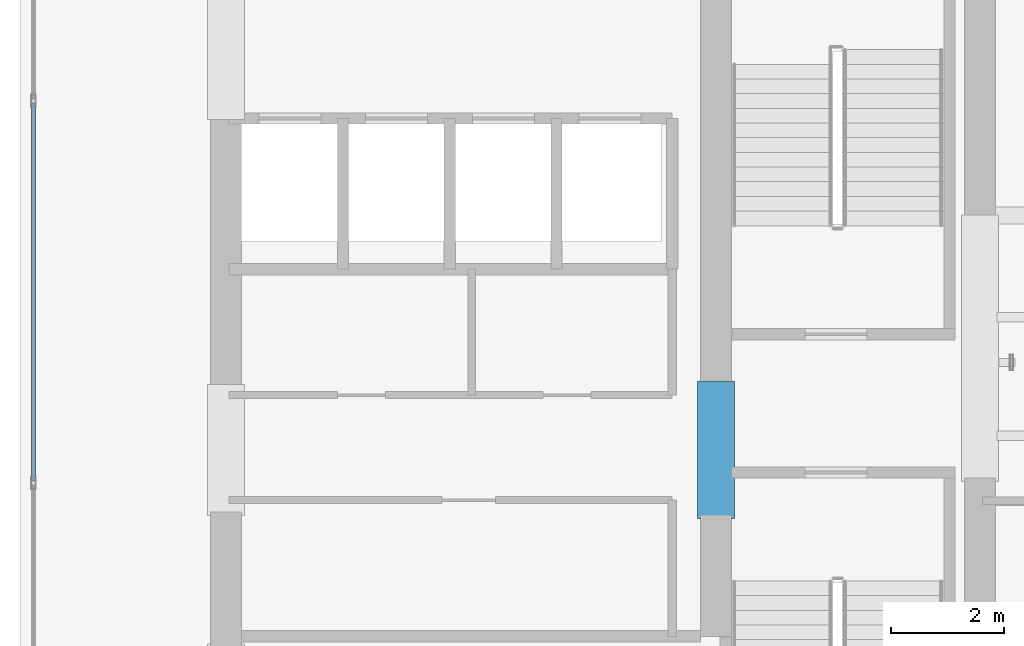
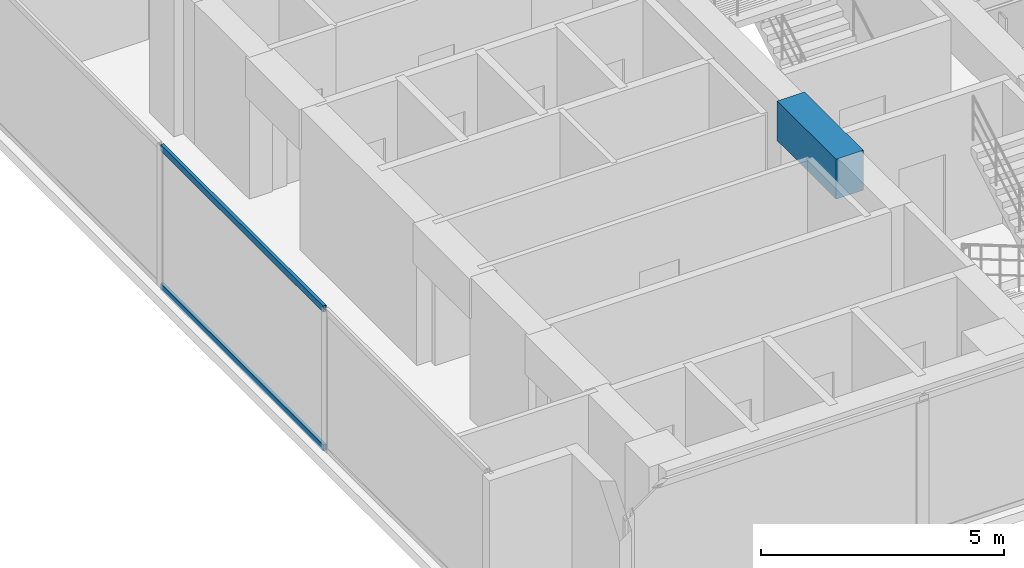
# One storey, part 3 of 23: 2 members, 1 beam, 1 element without a shape of its own.
"""IFC4 building model written with IfcOpenShell, lengths in metres."""

from ifc_helpers import new_model, si_unit, direction, frame, origin, origin_with_axes, origin_2d, place, context, subcontext, project, spatial, rectangle, hollow_rectangle, extrude, source, transform, mapped, material, layer, layer_set, material_profile, profile_set, type_object, element, aggregate, save


model = new_model("IFC4")

# Units and contexts
model_context = context("Model", 3, precision=1e-05, world=origin(), true_north=direction((0.0, 1.0)))
body_context = subcontext(model_context, "Body", "Model", "MODEL_VIEW")
ifc_project = project(units=[si_unit("LENGTHUNIT", "METRE"), si_unit("AREAUNIT", "SQUARE_METRE"), si_unit("VOLUMEUNIT", "CUBIC_METRE"), si_unit("PLANEANGLEUNIT", "RADIAN"), si_unit("MASSUNIT", "GRAM", prefix="KILO")], contexts=[model_context])

# Site, building, storey
site_placement = place(None, origin())
site = spatial("IfcSite", under=ifc_project, at=site_placement, CompositionType="ELEMENT")
building_placement = place(site_placement, origin())
building = spatial("IfcBuilding", under=site, at=building_placement, Name="Kolvaren Waterfront Exchange", CompositionType="ELEMENT")
storey_placement = place(building_placement, frame((0.0, 0.0, 231.10009765625)))
storey = spatial("IfcBuildingStorey", under=building, at=storey_placement, Name="L59", CompositionType="ELEMENT", Elevation=231.10009765625)

# Beam
ifc_material_1 = material(Name="Concrete C60/75", Category="concrete")
ifc_material_profile_1 = material_profile(ifc_material_1, rectangle(XDim=0.64990234375, YDim=1.0, at=origin_2d()), Name="RC-CB-1000x650")
ifc_profile_set_1 = profile_set([ifc_material_profile_1], Name="Concrete C60/75")
beam_type = type_object("IfcBeamType", Name="STR-CB-1000", PredefinedType="SPANDREL", material=ifc_profile_set_1)
beam_placement = place(storey_placement, frame((16.125, 12.0400390625, 3.059814453125), z_axis=(0.0, 1.0, 0.0), x_axis=(-1.0, 0.0, 0.0)))
element("IfcBeam", 1, at=beam_placement, inside=storey, type_object=beam_type, Name="L59 core coupling beam 6", PredefinedType="SPANDREL", context=body_context, shape_type="SweptSolid", body=[
    extrude(rectangle(XDim=0.64990234375, YDim=1.0, at=origin_2d()), origin(), (0.0, 0.0, 1.0), 2.419921875),
])

# Curtain wall, members
ifc_material_2 = material(Name="Anodised aluminium 6063-T6", Category="aluminium")
ifc_layer = layer(ifc_material_2, 0.219970703125, Name="Anodised aluminium 6063-T6")
ifc_layer_set = layer_set([ifc_layer], Name="Anodised aluminium 6063-T6")
curtain_wall_type = type_object("IfcCurtainWallType", Name="ARC-CW-SYS2", PredefinedType="USERDEFINED", material=ifc_layer_set)
curtain_wall_placement = place(storey_placement, origin())
curtain_wall = element("IfcCurtainWall", 2, at=curtain_wall_placement, inside=storey, type_object=curtain_wall_type, Name="L59 stick curtain wall CW2 (CW-L59-W)", ObjectType="STICK CURTAIN WALL", PredefinedType="USERDEFINED")
ifc_material_profile_2 = material_profile(ifc_material_2, hollow_rectangle(XDim=0.074951171875, YDim=0.159912109375, WallThickness=0.00439453125, at=origin_2d()), Name="ALU-TRN-160x75x4.5")
ifc_profile_set_2 = profile_set([ifc_material_profile_2], Name="Anodised aluminium 6063-T6")
member_type = type_object("IfcMemberType", Name="ARC-CWT-160", PredefinedType="USERDEFINED", material=ifc_profile_set_2)
shared_shape = source(origin_with_axes(), body_context, "Body", "SweptSolid", [
    extrude(hollow_rectangle(XDim=0.074951171875, YDim=0.159912109375, WallThickness=0.00439453125, at=origin_2d()), origin(), (0.0, 0.0, 1.0), 6.6865234375),
])
member_1_placement = place(storey_placement, frame((4.0400390625, 12.706787109375, 0.037353515625), z_axis=(0.0, 1.0, 0.0), x_axis=(-1.0, 0.0, 0.0)))
member_1 = element("IfcMember", 3, at=member_1_placement, type_object=member_type, Name="CW2 transom 2.1", ObjectType="TRANSOM", PredefinedType="USERDEFINED", context=body_context, shape_type="MappedRepresentation", body=[
    mapped(shared_shape, transform((0.0, 0.0, 0.0), x_axis=(1.0, 0.0, 0.0), y_axis=(0.0, 1.0, 0.0), z_axis=(0.0, 0.0, 1.0), scale=1.0)),
])
member_2_placement = place(storey_placement, frame((4.0400390625, 12.706787109375, 3.5224609375), z_axis=(0.0, 1.0, 0.0), x_axis=(-1.0, 0.0, 0.0)))
member_2 = element("IfcMember", 4, at=member_2_placement, type_object=member_type, Name="CW2 transom 2.2", ObjectType="TRANSOM", PredefinedType="USERDEFINED", context=body_context, shape_type="MappedRepresentation", body=[
    mapped(shared_shape, transform((0.0, 0.0, 0.0), x_axis=(1.0, 0.0, 0.0), y_axis=(0.0, 1.0, 0.0), z_axis=(0.0, 0.0, 1.0), scale=1.0)),
])
aggregate(curtain_wall, [member_1, member_2])

save(model, "model.ifc")
